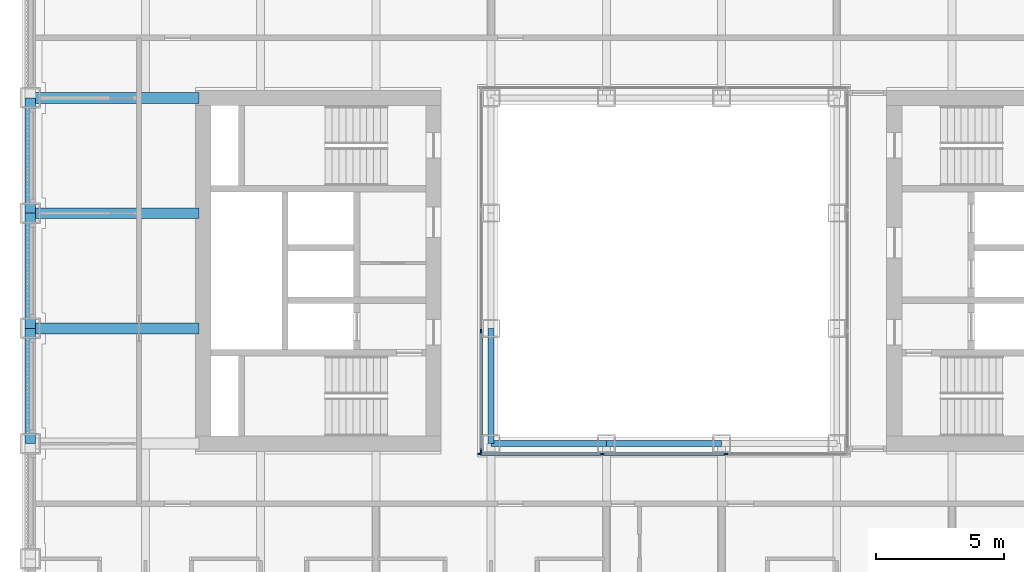
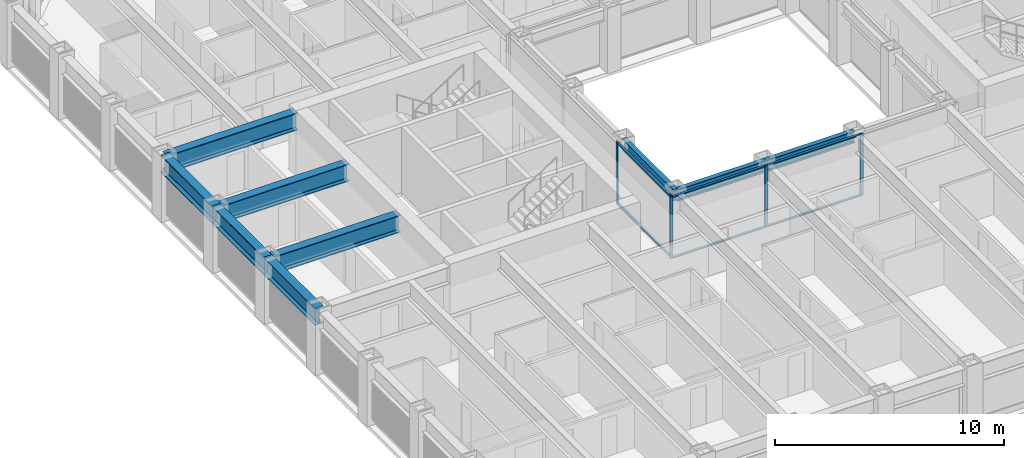
# One storey, part 3 of 21: 11 members, 9 beams, 2 elements without a shape of their own.
"""IFC4 building model written with IfcOpenShell, lengths in metres."""

from ifc_helpers import new_model, si_unit, direction, frame, origin, origin_2d, place, context, subcontext, project, spatial, rectangle, i_section, extrude, material, material_profile, profile_set, type_object, element, aggregate, save


model = new_model("IFC4")

# Units and contexts
model_context = context("Model", 3, precision=1e-05, world=origin(), true_north=direction((0.0, 1.0)))
body_context = subcontext(model_context, "Body", "Model", "MODEL_VIEW")
ifc_project = project(units=[si_unit("LENGTHUNIT", "METRE"), si_unit("AREAUNIT", "SQUARE_METRE"), si_unit("VOLUMEUNIT", "CUBIC_METRE"), si_unit("PLANEANGLEUNIT", "RADIAN"), si_unit("MASSUNIT", "GRAM", prefix="KILO")], contexts=[model_context])

# Site, building, storey
site_placement = place(None, origin())
site = spatial("IfcSite", under=ifc_project, at=site_placement, CompositionType="ELEMENT")
building_placement = place(site_placement, origin())
building = spatial("IfcBuilding", under=site, at=building_placement, Name="Msasa Ring Tower", CompositionType="ELEMENT")
storey_placement = place(building_placement, frame((0.0, 0.0, 75.5)))
storey = spatial("IfcBuildingStorey", under=building, at=storey_placement, Name="L19", CompositionType="ELEMENT", Elevation=75.5)

# Curtain wall, members
ifc_material_1 = material(Name="Aluminium curtain wall with clear glass", Category="aluminium")
curtain_wall_type = type_object("IfcCurtainWallType", Name="CW-W LIGHT WELL CURTAIN WALL", PredefinedType="NOTDEFINED", material=ifc_material_1)
curtain_wall_1_placement = place(storey_placement, origin())
curtain_wall_1 = element("IfcCurtainWall", 1, at=curtain_wall_1_placement, inside=storey, type_object=curtain_wall_type, Name="Light well curtain wall S L19", PredefinedType="NOTDEFINED")
ifc_material_2 = material(Name="Aluminium mullion", Category="aluminium")
ifc_material_profile_1 = material_profile(ifc_material_2, rectangle(XDim=0.06005859375, YDim=0.159912109375, at=origin_2d()), Name="AL 60x160")
ifc_profile_set_1 = profile_set([ifc_material_profile_1], Name="Aluminium mullion")
member_type_1 = type_object("IfcMemberType", Name="CW-W MULLION 60x160", PredefinedType="MULLION", material=ifc_profile_set_1)
member_1_placement = place(storey_placement, frame((-7.199951171875, -7.14990234375, 0.0), z_axis=(0.0, 0.0, 1.0), x_axis=(0.0, 1.0, 0.0)))
member_1 = element("IfcMember", 2, at=member_1_placement, type_object=member_type_1, Name="CW-W mullion 1", PredefinedType="MULLION", context=body_context, shape_type="SweptSolid", body=[
    extrude(rectangle(XDim=0.06005859375, YDim=0.159912109375, at=origin_2d()), origin(), (0.0, 0.0, 1.0), 3.300048828125),
])
member_2_placement = place(storey_placement, frame((-2.409912109375, -7.14990234375, 0.0), z_axis=(0.0, 0.0, 1.0), x_axis=(0.0, 1.0, 0.0)))
member_2 = element("IfcMember", 3, at=member_2_placement, type_object=member_type_1, Name="CW-W mullion 2", PredefinedType="MULLION", context=body_context, shape_type="SweptSolid", body=[
    extrude(rectangle(XDim=0.06005859375, YDim=0.159912109375, at=origin_2d()), origin(), (0.0, 0.0, 1.0), 3.300048828125),
])
member_3_placement = place(storey_placement, frame((2.409912109375, -7.14990234375, 0.0), z_axis=(0.0, 0.0, 1.0), x_axis=(0.0, 1.0, 0.0)))
member_3 = element("IfcMember", 4, at=member_3_placement, type_object=member_type_1, Name="CW-W mullion 3", PredefinedType="MULLION", context=body_context, shape_type="SweptSolid", body=[
    extrude(rectangle(XDim=0.06005859375, YDim=0.159912109375, at=origin_2d()), origin(), (0.0, 0.0, 1.0), 3.300048828125),
])

curtain_wall_2_placement = place(storey_placement, origin())
curtain_wall_2 = element("IfcCurtainWall", 5, at=curtain_wall_2_placement, inside=storey, type_object=curtain_wall_type, Name="Light well curtain wall W L19", PredefinedType="NOTDEFINED")
member_4_placement = place(storey_placement, frame((-7.14990234375, -7.0400390625, 0.0), z_axis=(0.0, 0.0, 1.0), x_axis=(-1.0, 0.0, 0.0)))
member_4 = element("IfcMember", 6, at=member_4_placement, type_object=member_type_1, Name="CW-W mullion 1", PredefinedType="MULLION", context=body_context, shape_type="SweptSolid", body=[
    extrude(rectangle(XDim=0.06005859375, YDim=0.159912109375, at=origin_2d()), origin(), (0.0, 0.0, 1.0), 3.300048828125),
])
member_5_placement = place(storey_placement, frame((-7.14990234375, -2.356689453125, 0.0), z_axis=(0.0, 0.0, 1.0), x_axis=(-1.0, 0.0, 0.0)))
member_5 = element("IfcMember", 7, at=member_5_placement, type_object=member_type_1, Name="CW-W mullion 2", PredefinedType="MULLION", context=body_context, shape_type="SweptSolid", body=[
    extrude(rectangle(XDim=0.06005859375, YDim=0.159912109375, at=origin_2d()), origin(), (0.0, 0.0, 1.0), 3.300048828125),
])

# Member
ifc_material_3 = material(Name="Aluminium transom", Category="aluminium")
ifc_material_profile_2 = material_profile(ifc_material_3, rectangle(XDim=0.1201171875, YDim=0.06005859375, at=origin_2d()), Name="AL 60x120")
ifc_profile_set_2 = profile_set([ifc_material_profile_2], Name="Aluminium transom")
member_type_2 = type_object("IfcMemberType", Name="CW-W TRANSOM 60x120", PredefinedType="USERDEFINED", material=ifc_profile_set_2)
member_6_placement = place(storey_placement, frame((-7.169921875, -7.14990234375, 0.030029296875), z_axis=(1.0, 0.0, 0.0), x_axis=(0.0, 1.0, 0.0)))
member_6 = element("IfcMember", 8, at=member_6_placement, type_object=member_type_2, Name="CW-W transom 1.1", ObjectType="TRANSOM", PredefinedType="USERDEFINED", context=body_context, shape_type="SweptSolid", body=[
    extrude(rectangle(XDim=0.1201171875, YDim=0.06005859375, at=origin_2d()), origin(), (0.0, 0.0, 1.0), 4.72998046875),
])

member_7_placement = place(storey_placement, frame((-7.169921875, -7.14990234375, 3.27001953125), z_axis=(1.0, 0.0, 0.0), x_axis=(0.0, 1.0, 0.0)))
member_7 = element("IfcMember", 9, at=member_7_placement, type_object=member_type_2, Name="CW-W transom 1.2", ObjectType="TRANSOM", PredefinedType="USERDEFINED", context=body_context, shape_type="SweptSolid", body=[
    extrude(rectangle(XDim=0.1201171875, YDim=0.06005859375, at=origin_2d()), origin(), (0.0, 0.0, 1.0), 4.72998046875),
])

member_8_placement = place(storey_placement, frame((-2.3798828125, -7.14990234375, 0.030029296875), z_axis=(1.0, 0.0, 0.0), x_axis=(0.0, 1.0, 0.0)))
member_8 = element("IfcMember", 10, at=member_8_placement, type_object=member_type_2, Name="CW-W transom 2.1", ObjectType="TRANSOM", PredefinedType="USERDEFINED", context=body_context, shape_type="SweptSolid", body=[
    extrude(rectangle(XDim=0.1201171875, YDim=0.06005859375, at=origin_2d()), origin(), (0.0, 0.0, 1.0), 4.759765625),
])

member_9_placement = place(storey_placement, frame((-2.3798828125, -7.14990234375, 3.27001953125), z_axis=(1.0, 0.0, 0.0), x_axis=(0.0, 1.0, 0.0)))
member_9 = element("IfcMember", 11, at=member_9_placement, type_object=member_type_2, Name="CW-W transom 2.2", ObjectType="TRANSOM", PredefinedType="USERDEFINED", context=body_context, shape_type="SweptSolid", body=[
    extrude(rectangle(XDim=0.1201171875, YDim=0.06005859375, at=origin_2d()), origin(), (0.0, 0.0, 1.0), 4.759765625),
])

aggregate(curtain_wall_1, [member_1, member_2, member_3, member_6, member_7, member_8, member_9])

member_10_placement = place(storey_placement, frame((-7.14990234375, -7.010009765625, 0.030029296875), z_axis=(0.0, 1.0, 0.0), x_axis=(-1.0, 0.0, 0.0)))
member_10 = element("IfcMember", 12, at=member_10_placement, type_object=member_type_2, Name="CW-W transom 1.1", ObjectType="TRANSOM", PredefinedType="USERDEFINED", context=body_context, shape_type="SweptSolid", body=[
    extrude(rectangle(XDim=0.1201171875, YDim=0.06005859375, at=origin_2d()), origin(), (0.0, 0.0, 1.0), 4.623291015625),
])

member_11_placement = place(storey_placement, frame((-7.14990234375, -7.010009765625, 3.27001953125), z_axis=(0.0, 1.0, 0.0), x_axis=(-1.0, 0.0, 0.0)))
member_11 = element("IfcMember", 13, at=member_11_placement, type_object=member_type_2, Name="CW-W transom 1.2", ObjectType="TRANSOM", PredefinedType="USERDEFINED", context=body_context, shape_type="SweptSolid", body=[
    extrude(rectangle(XDim=0.1201171875, YDim=0.06005859375, at=origin_2d()), origin(), (0.0, 0.0, 1.0), 4.623291015625),
])

aggregate(curtain_wall_2, [member_4, member_5, member_10, member_11])

# Beams
ifc_material_4 = material(Name="Steel S355", Category="steel")
ifc_material_profile_3 = material_profile(ifc_material_4, i_section(OverallWidth=0.42041015625, OverallDepth=0.9208984375, WebThickness=0.021484375, FlangeThickness=0.03662109375, FilletRadius=0.024169921875, at=origin_2d()), Name="UB 914x419x388")
ifc_profile_set_3 = profile_set([ifc_material_profile_3], Name="Steel S355")
beam_type_1 = type_object("IfcBeamType", Name="FB2 UB 914x419x388", PredefinedType="BEAM", material=ifc_profile_set_3)
for number, where, z_axis, x_axis, name in (
    (14, (-24.75, -2.25, 2.839599609375), (1.0, 0.0, 0.0), (0.0, 1.0, 0.0), "Floor beam W -2.25 under L20"),
    (15, (-24.75, 2.25, 2.839599609375), (1.0, 0.0, 0.0), (0.0, 1.0, 0.0), "Floor beam W +2.25 under L20"),
):
    element("IfcBeam", number, at=place(storey_placement, frame(where, z_axis=z_axis, x_axis=x_axis)), inside=storey, type_object=beam_type_1, Name=name, PredefinedType="BEAM", context=body_context, shape_type="SweptSolid", body=[
        extrude(i_section(OverallWidth=0.42041015625, OverallDepth=0.9208984375, WebThickness=0.021484375, FlangeThickness=0.03662109375, FilletRadius=0.024169921875, at=origin_2d()), origin(), (0.0, 0.0, 1.0), 6.60009765625),
    ])
ifc_material_5 = material(Name="Steel S355", Category="steel")
ifc_material_profile_4 = material_profile(ifc_material_5, i_section(OverallWidth=0.42041015625, OverallDepth=0.9208984375, WebThickness=0.021484375, FlangeThickness=0.03662109375, FilletRadius=0.024169921875, at=origin_2d()), Name="UB 914x419x388")
ifc_profile_set_4 = profile_set([ifc_material_profile_4], Name="Steel S355")
beam_type_2 = type_object("IfcBeamType", Name="GB1 UB 914x419x388", PredefinedType="BEAM", material=ifc_profile_set_4)
beam_placement = place(storey_placement, frame((-18.14990234375, 6.75, 2.839599609375), z_axis=(-1.0, 0.0, 0.0), x_axis=(0.0, -1.0, 0.0)))
element("IfcBeam", 16, at=beam_placement, inside=storey, type_object=beam_type_2, Name="Girder W +6.75 under L20", PredefinedType="BEAM", context=body_context, shape_type="SweptSolid", body=[
    extrude(i_section(OverallWidth=0.42041015625, OverallDepth=0.9208984375, WebThickness=0.021484375, FlangeThickness=0.03662109375, FilletRadius=0.024169921875, at=origin_2d()), origin(), (0.0, 0.0, 1.0), 6.60009765625),
])
ifc_material_6 = material(Name="Steel S355", Category="steel")
ifc_material_profile_5 = material_profile(ifc_material_6, i_section(OverallWidth=0.230224609375, OverallDepth=0.6171875, WebThickness=0.01318359375, FlangeThickness=0.022216796875, FilletRadius=0.0126953125, at=origin_2d()), Name="UB 610x229x140")
ifc_profile_set_5 = profile_set([ifc_material_profile_5], Name="Steel S355")
beam_type_3 = type_object("IfcBeamType", Name="RB1 UB 610x229x140", PredefinedType="BEAM", material=ifc_profile_set_5)
for number, where, z_axis, x_axis, name in (
    (17, (-6.75, -2.25, 2.991455078125), (0.0, -1.0, 0.0), (1.0, 0.0, 0.0), "Inner ring beam IR-6.75-2.25 under L20"),
    (18, (-6.75, -6.75, 2.991455078125), (1.0, 0.0, 0.0), (0.0, 1.0, 0.0), "Inner ring beam IR-6.75-6.75 under L20"),
    (19, (-2.25, -6.75, 2.991455078125), (1.0, 0.0, 0.0), (0.0, 1.0, 0.0), "Inner ring beam IR-2.25-6.75 under L20"),
):
    element("IfcBeam", number, at=place(storey_placement, frame(where, z_axis=z_axis, x_axis=x_axis)), inside=storey, type_object=beam_type_3, Name=name, PredefinedType="BEAM", context=body_context, shape_type="SweptSolid", body=[
        extrude(i_section(OverallWidth=0.230224609375, OverallDepth=0.6171875, WebThickness=0.01318359375, FlangeThickness=0.022216796875, FilletRadius=0.0126953125, at=origin_2d()), origin(), (0.0, 0.0, 1.0), 4.5),
    ])
ifc_material_7 = material(Name="Steel S355", Category="steel")
ifc_material_profile_6 = material_profile(ifc_material_7, i_section(OverallWidth=0.42041015625, OverallDepth=0.9208984375, WebThickness=0.021484375, FlangeThickness=0.03662109375, FilletRadius=0.024169921875, at=origin_2d()), Name="UB 914x419x388")
ifc_profile_set_6 = profile_set([ifc_material_profile_6], Name="Steel S355")
beam_type_4 = type_object("IfcBeamType", Name="SB1 UB 914x419x388", PredefinedType="SPANDREL", material=ifc_profile_set_6)
for number, where, z_axis, x_axis, name in (
    (20, (-24.75, -2.25, 2.839599609375), (0.0, -1.0, 0.0), (1.0, 0.0, 0.0), "Spandrel W-2.25 to W-6.75 under L20"),
    (21, (-24.75, 6.75, 2.839599609375), (0.0, -1.0, 0.0), (1.0, 0.0, 0.0), "Spandrel W+6.75 to W+2.25 under L20"),
    (22, (-24.75, 2.25, 2.839599609375), (0.0, -1.0, 0.0), (1.0, 0.0, 0.0), "Spandrel W+2.25 to W-2.25 under L20"),
):
    element("IfcBeam", number, at=place(storey_placement, frame(where, z_axis=z_axis, x_axis=x_axis)), inside=storey, type_object=beam_type_4, Name=name, PredefinedType="SPANDREL", context=body_context, shape_type="SweptSolid", body=[
        extrude(i_section(OverallWidth=0.42041015625, OverallDepth=0.9208984375, WebThickness=0.021484375, FlangeThickness=0.03662109375, FilletRadius=0.024169921875, at=origin_2d()), origin(), (0.0, 0.0, 1.0), 4.5),
    ])

save(model, "model.ifc")
